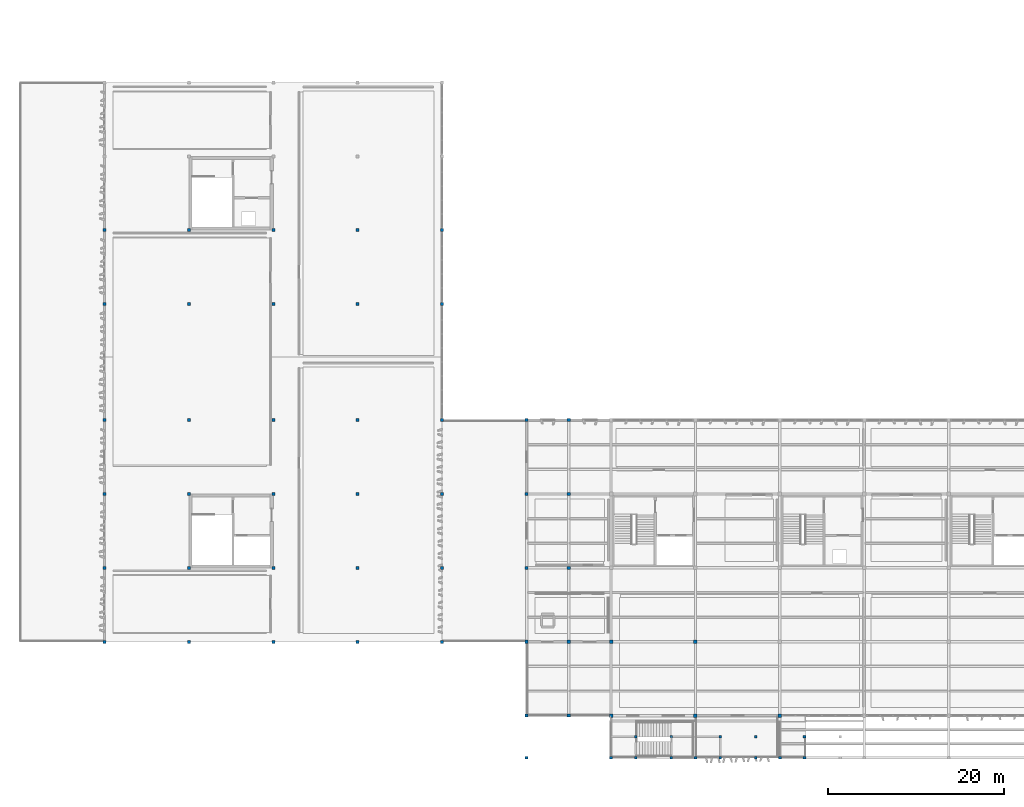
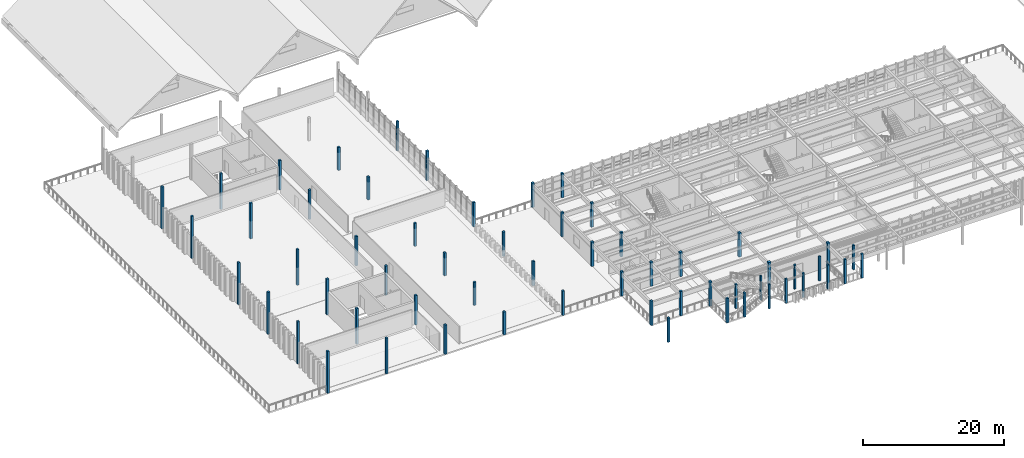
# One storey, part 1 of 42: 59 columns.
"""IFC4 building model written with IfcOpenShell, lengths in metres."""

from ifc_helpers import new_model, si_unit, direction, frame, origin, origin_2d, place, context, subcontext, project, spatial, rectangle, extrude, material, material_profile, profile_set, type_object, element, save


model = new_model("IFC4")

# Units and contexts
model_context = context("Model", 3, precision=1e-05, world=origin(), true_north=direction((0.0, 1.0)))
body_context = subcontext(model_context, "Body", "Model", "MODEL_VIEW")
ifc_project = project(units=[si_unit("LENGTHUNIT", "METRE"), si_unit("AREAUNIT", "SQUARE_METRE"), si_unit("VOLUMEUNIT", "CUBIC_METRE"), si_unit("PLANEANGLEUNIT", "RADIAN"), si_unit("MASSUNIT", "GRAM", prefix="KILO")], contexts=[model_context])

# Site, building, storey
site_placement = place(None, origin())
site = spatial("IfcSite", under=ifc_project, at=site_placement, CompositionType="ELEMENT")
building_placement = place(site_placement, origin())
building = spatial("IfcBuilding", under=site, at=building_placement, Name="Kolvemor Railside Polytechnic", CompositionType="ELEMENT")
storey_placement = place(building_placement, frame((0.0, 0.0, 14.39990234375)))
storey = spatial("IfcBuildingStorey", under=building, at=storey_placement, Name="L03", CompositionType="ELEMENT", Elevation=14.39990234375)

# Columns
ifc_material_1 = material(Name="Glulam GL28h", Category="wood")
ifc_material_profile_1 = material_profile(ifc_material_1, rectangle(XDim=0.2900390625, YDim=0.2900390625, at=origin_2d()), Name="GL290x290")
ifc_profile_set_1 = profile_set([ifc_material_profile_1], Name="Glulam GL28h")
column_type_1 = type_object("IfcColumnType", Name="COL-GL290", PredefinedType="COLUMN", material=ifc_profile_set_1)
for number, where, z_axis, x_axis, name in (
    (1, (70.0, 0.0, 0.0), (0.0, 0.0, 1.0), (1.0, 0.0, 0.0), "Column L03-C058"),
    (2, (70.0, 2.39990234375, 0.0), (0.0, 0.0, 1.0), (1.0, 0.0, 0.0), "Column L03-C059"),
    (3, (74.050048828125, 0.0, 0.0), (0.0, 0.0, 1.0), (1.0, 0.0, 0.0), "Column L03-C060"),
    (4, (74.050048828125, 2.39990234375, 0.0), (0.0, 0.0, 1.0), (1.0, 0.0, 0.0), "Column L03-C061"),
    (5, (79.60009765625, 0.0, 0.0), (0.0, 0.0, 1.0), (1.0, 0.0, 0.0), "Column L03-C068"),
    (6, (79.60009765625, 2.39990234375, 0.0), (0.0, 0.0, 1.0), (1.0, 0.0, 0.0), "Column L03-C069"),
    (7, (83.64990234375, 0.0, 0.0), (0.0, 0.0, 1.0), (1.0, 0.0, 0.0), "Column L03-C070"),
    (8, (83.64990234375, 2.39990234375, 0.0), (0.0, 0.0, 1.0), (1.0, 0.0, 0.0), "Column L03-C071"),
    (9, (89.199951171875, 0.0, 0.0), (0.0, 0.0, 1.0), (1.0, 0.0, 0.0), "Column L03-C078"),
    (10, (89.199951171875, 2.39990234375, 0.0), (0.0, 0.0, 1.0), (1.0, 0.0, 0.0), "Column L03-C079"),
):
    element("IfcColumn", number, at=place(storey_placement, frame(where, z_axis=z_axis, x_axis=x_axis)), inside=storey, type_object=column_type_1, Name=name, PredefinedType="COLUMN", context=body_context, shape_type="SweptSolid", body=[
        extrude(rectangle(XDim=0.2900390625, YDim=0.2900390625, at=origin_2d()), origin(), (0.0, 0.0, 1.0), 4.2001953125),
    ])
ifc_material_2 = material(Name="Glulam GL28h", Category="wood")
ifc_material_profile_2 = material_profile(ifc_material_2, rectangle(XDim=0.31494140625, YDim=0.31494140625, at=origin_2d()), Name="GL315x315")
ifc_profile_set_2 = profile_set([ifc_material_profile_2], Name="Glulam GL28h")
column_type_2 = type_object("IfcColumnType", Name="COL-GL315", PredefinedType="COLUMN", material=ifc_profile_set_2)
for number, where, z_axis, x_axis, name in (
    (11, (57.60009765625, 0.0, 0.0), (0.0, 0.0, 1.0), (1.0, 0.0, 0.0), "Column L03-C041"),
    (12, (67.199951171875, 0.0, 0.0), (0.0, 0.0, 1.0), (1.0, 0.0, 0.0), "Column L03-C052"),
    (13, (76.800048828125, 0.0, 0.0), (0.0, 0.0, 1.0), (1.0, 0.0, 0.0), "Column L03-C062"),
    (14, (86.39990234375, 0.0, 0.0), (0.0, 0.0, 1.0), (1.0, 0.0, 0.0), "Column L03-C072"),
):
    element("IfcColumn", number, at=place(storey_placement, frame(where, z_axis=z_axis, x_axis=x_axis)), inside=storey, type_object=column_type_2, Name=name, PredefinedType="COLUMN", context=body_context, shape_type="SweptSolid", body=[
        extrude(rectangle(XDim=0.31494140625, YDim=0.31494140625, at=origin_2d()), origin(), (0.0, 0.0, 1.0), 4.2001953125),
    ])
ifc_material_3 = material(Name="Glulam GL28h", Category="wood")
ifc_material_profile_3 = material_profile(ifc_material_3, rectangle(XDim=0.340087890625, YDim=0.340087890625, at=origin_2d()), Name="GL340x340")
ifc_profile_set_3 = profile_set([ifc_material_profile_3], Name="Glulam GL28h")
column_type_3 = type_object("IfcColumnType", Name="COL-GL340", PredefinedType="COLUMN", material=ifc_profile_set_3)
for number, where, z_axis, x_axis, name in (
    (15, (9.60009765625, 13.199951171875, 0.0), (0.0, 0.0, 1.0), (1.0, 0.0, 0.0), "Column L03-C001"),
    (16, (9.60009765625, 21.60009765625, 0.0), (0.0, 0.0, 1.0), (1.0, 0.0, 0.0), "Column L03-C002"),
    (17, (9.60009765625, 30.0, 0.0), (0.0, 0.0, 1.0), (1.0, 0.0, 0.0), "Column L03-C003"),
    (18, (9.60009765625, 38.39990234375, 0.0), (0.0, 0.0, 1.0), (1.0, 0.0, 0.0), "Column L03-C004"),
    (19, (9.60009765625, 51.60009765625, 0.0), (0.0, 0.0, 1.0), (1.0, 0.0, 0.0), "Column L03-C005"),
    (20, (9.60009765625, 60.0, 0.0), (0.0, 0.0, 1.0), (1.0, 0.0, 0.0), "Column L03-C006"),
):
    element("IfcColumn", number, at=place(storey_placement, frame(where, z_axis=z_axis, x_axis=x_axis)), inside=storey, type_object=column_type_3, Name=name, PredefinedType="COLUMN", context=body_context, shape_type="SweptSolid", body=[
        extrude(rectangle(XDim=0.340087890625, YDim=0.340087890625, at=origin_2d()), origin(), (0.0, 0.0, 1.0), 7.257080078125),
    ])
for number, where, z_axis, x_axis, name in (
    (21, (19.199951171875, 13.199951171875, 0.0), (0.0, 0.0, 1.0), (1.0, 0.0, 0.0), "Column L03-C009"),
    (22, (19.199951171875, 21.60009765625, 0.0), (0.0, 0.0, 1.0), (1.0, 0.0, 0.0), "Column L03-C010"),
    (23, (19.199951171875, 30.0, 0.0), (0.0, 0.0, 1.0), (1.0, 0.0, 0.0), "Column L03-C011"),
    (24, (19.199951171875, 38.39990234375, 0.0), (0.0, 0.0, 1.0), (1.0, 0.0, 0.0), "Column L03-C012"),
    (25, (19.199951171875, 51.60009765625, 0.0), (0.0, 0.0, 1.0), (1.0, 0.0, 0.0), "Column L03-C013"),
    (26, (19.199951171875, 60.0, 0.0), (0.0, 0.0, 1.0), (1.0, 0.0, 0.0), "Column L03-C014"),
):
    element("IfcColumn", number, at=place(storey_placement, frame(where, z_axis=z_axis, x_axis=x_axis)), inside=storey, type_object=column_type_3, Name=name, PredefinedType="COLUMN", context=body_context, shape_type="SweptSolid", body=[
        extrude(rectangle(XDim=0.340087890625, YDim=0.340087890625, at=origin_2d()), origin(), (0.0, 0.0, 1.0), 6.1650390625),
    ])
for number, where, z_axis, x_axis, name in (
    (27, (28.800048828125, 13.199951171875, 0.0), (0.0, 0.0, 1.0), (1.0, 0.0, 0.0), "Column L03-C017"),
    (28, (28.800048828125, 21.60009765625, 0.0), (0.0, 0.0, 1.0), (1.0, 0.0, 0.0), "Column L03-C018"),
    (29, (28.800048828125, 30.0, 0.0), (0.0, 0.0, 1.0), (1.0, 0.0, 0.0), "Column L03-C019"),
    (30, (28.800048828125, 38.39990234375, 0.0), (0.0, 0.0, 1.0), (1.0, 0.0, 0.0), "Column L03-C020"),
    (31, (28.800048828125, 51.60009765625, 0.0), (0.0, 0.0, 1.0), (1.0, 0.0, 0.0), "Column L03-C021"),
    (32, (28.800048828125, 60.0, 0.0), (0.0, 0.0, 1.0), (1.0, 0.0, 0.0), "Column L03-C022"),
):
    element("IfcColumn", number, at=place(storey_placement, frame(where, z_axis=z_axis, x_axis=x_axis)), inside=storey, type_object=column_type_3, Name=name, PredefinedType="COLUMN", context=body_context, shape_type="SweptSolid", body=[
        extrude(rectangle(XDim=0.340087890625, YDim=0.340087890625, at=origin_2d()), origin(), (0.0, 0.0, 1.0), 5.072021484375),
    ])
for number, where, z_axis, x_axis, name in (
    (33, (38.39990234375, 13.199951171875, 0.0), (0.0, 0.0, 1.0), (1.0, 0.0, 0.0), "Column L03-C025"),
    (34, (38.39990234375, 21.60009765625, 0.0), (0.0, 0.0, 1.0), (1.0, 0.0, 0.0), "Column L03-C026"),
    (35, (38.39990234375, 30.0, 0.0), (0.0, 0.0, 1.0), (1.0, 0.0, 0.0), "Column L03-C027"),
    (36, (38.39990234375, 38.39990234375, 0.0), (0.0, 0.0, 1.0), (1.0, 0.0, 0.0), "Column L03-C028"),
    (37, (38.39990234375, 51.60009765625, 0.0), (0.0, 0.0, 1.0), (1.0, 0.0, 0.0), "Column L03-C029"),
    (38, (38.39990234375, 60.0, 0.0), (0.0, 0.0, 1.0), (1.0, 0.0, 0.0), "Column L03-C030"),
):
    element("IfcColumn", number, at=place(storey_placement, frame(where, z_axis=z_axis, x_axis=x_axis)), inside=storey, type_object=column_type_3, Name=name, PredefinedType="COLUMN", context=body_context, shape_type="SweptSolid", body=[
        extrude(rectangle(XDim=0.340087890625, YDim=0.340087890625, at=origin_2d()), origin(), (0.0, 0.0, 1.0), 3.97998046875),
    ])
for number, where, z_axis, x_axis, name in (
    (39, (48.0, 13.199951171875, 0.0), (0.0, 0.0, 1.0), (1.0, 0.0, 0.0), "Column L03-C033"),
    (40, (48.0, 21.60009765625, 0.0), (0.0, 0.0, 1.0), (1.0, 0.0, 0.0), "Column L03-C034"),
    (41, (48.0, 30.0, 0.0), (0.0, 0.0, 1.0), (1.0, 0.0, 0.0), "Column L03-C035"),
    (42, (48.0, 38.39990234375, 0.0), (0.0, 0.0, 1.0), (1.0, 0.0, 0.0), "Column L03-C036"),
):
    element("IfcColumn", number, at=place(storey_placement, frame(where, z_axis=z_axis, x_axis=x_axis)), inside=storey, type_object=column_type_3, Name=name, PredefinedType="COLUMN", context=body_context, shape_type="SweptSolid", body=[
        extrude(rectangle(XDim=0.340087890625, YDim=0.340087890625, at=origin_2d()), origin(), (0.0, 0.0, 1.0), 4.2001953125),
    ])
for number, where, z_axis, x_axis, name in (
    (43, (48.0, 51.60009765625, 0.0), (0.0, 0.0, 1.0), (1.0, 0.0, 0.0), "Column L03-C037"),
    (44, (48.0, 60.0, 0.0), (0.0, 0.0, 1.0), (1.0, 0.0, 0.0), "Column L03-C038"),
):
    element("IfcColumn", number, at=place(storey_placement, frame(where, z_axis=z_axis, x_axis=x_axis)), inside=storey, type_object=column_type_3, Name=name, PredefinedType="COLUMN", context=body_context, shape_type="SweptSolid", body=[
        extrude(rectangle(XDim=0.340087890625, YDim=0.340087890625, at=origin_2d()), origin(), (0.0, 0.0, 1.0), 5.076171875),
    ])
ifc_material_4 = material(Name="Glulam GL28h", Category="wood")
ifc_material_profile_4 = material_profile(ifc_material_4, rectangle(XDim=0.364990234375, YDim=0.364990234375, at=origin_2d()), Name="GL365x365")
ifc_profile_set_4 = profile_set([ifc_material_profile_4], Name="Glulam GL28h")
column_type_4 = type_object("IfcColumnType", Name="COL-GL365", PredefinedType="COLUMN", material=ifc_profile_set_4)
for number, where, z_axis, x_axis, name in (
    (45, (57.60009765625, 4.800048828125, 0.0), (0.0, 0.0, 1.0), (1.0, 0.0, 0.0), "Column L03-C042"),
    (46, (57.60009765625, 13.199951171875, 0.0), (0.0, 0.0, 1.0), (1.0, 0.0, 0.0), "Column L03-C043"),
    (47, (57.60009765625, 21.60009765625, 0.0), (0.0, 0.0, 1.0), (1.0, 0.0, 0.0), "Column L03-C044"),
    (48, (57.60009765625, 30.0, 0.0), (0.0, 0.0, 1.0), (1.0, 0.0, 0.0), "Column L03-C045"),
    (49, (57.60009765625, 38.39990234375, 0.0), (0.0, 0.0, 1.0), (1.0, 0.0, 0.0), "Column L03-C046"),
    (50, (62.39990234375, 4.800048828125, 0.0), (0.0, 0.0, 1.0), (1.0, 0.0, 0.0), "Column L03-C047"),
    (51, (62.39990234375, 13.199951171875, 0.0), (0.0, 0.0, 1.0), (1.0, 0.0, 0.0), "Column L03-C048"),
    (52, (62.39990234375, 21.60009765625, 0.0), (0.0, 0.0, 1.0), (1.0, 0.0, 0.0), "Column L03-C049"),
    (53, (62.39990234375, 30.0, 0.0), (0.0, 0.0, 1.0), (1.0, 0.0, 0.0), "Column L03-C050"),
    (54, (62.39990234375, 38.39990234375, 0.0), (0.0, 0.0, 1.0), (1.0, 0.0, 0.0), "Column L03-C051"),
):
    element("IfcColumn", number, at=place(storey_placement, frame(where, z_axis=z_axis, x_axis=x_axis)), inside=storey, type_object=column_type_4, Name=name, PredefinedType="COLUMN", context=body_context, shape_type="SweptSolid", body=[
        extrude(rectangle(XDim=0.364990234375, YDim=0.364990234375, at=origin_2d()), origin(), (0.0, 0.0, 1.0), 4.2001953125),
    ])
ifc_material_5 = material(Name="Glulam GL28h", Category="wood")
ifc_material_profile_5 = material_profile(ifc_material_5, rectangle(XDim=0.39990234375, YDim=0.39990234375, at=origin_2d()), Name="GL400x400")
ifc_profile_set_5 = profile_set([ifc_material_profile_5], Name="Glulam GL28h")
column_type_5 = type_object("IfcColumnType", Name="COL-GL400", PredefinedType="COLUMN", material=ifc_profile_set_5)
for number, where, z_axis, x_axis, name in (
    (55, (67.199951171875, 4.800048828125, 0.0), (0.0, 0.0, 1.0), (1.0, 0.0, 0.0), "Column L03-C053"),
    (56, (67.199951171875, 13.199951171875, 0.0), (0.0, 0.0, 1.0), (1.0, 0.0, 0.0), "Column L03-C054"),
    (57, (76.800048828125, 4.800048828125, 0.0), (0.0, 0.0, 1.0), (1.0, 0.0, 0.0), "Column L03-C063"),
    (58, (76.800048828125, 13.199951171875, 0.0), (0.0, 0.0, 1.0), (1.0, 0.0, 0.0), "Column L03-C064"),
    (59, (86.39990234375, 4.800048828125, 0.0), (0.0, 0.0, 1.0), (1.0, 0.0, 0.0), "Column L03-C073"),
):
    element("IfcColumn", number, at=place(storey_placement, frame(where, z_axis=z_axis, x_axis=x_axis)), inside=storey, type_object=column_type_5, Name=name, PredefinedType="COLUMN", context=body_context, shape_type="SweptSolid", body=[
        extrude(rectangle(XDim=0.39990234375, YDim=0.39990234375, at=origin_2d()), origin(), (0.0, 0.0, 1.0), 4.2001953125),
    ])

save(model, "model.ifc")
